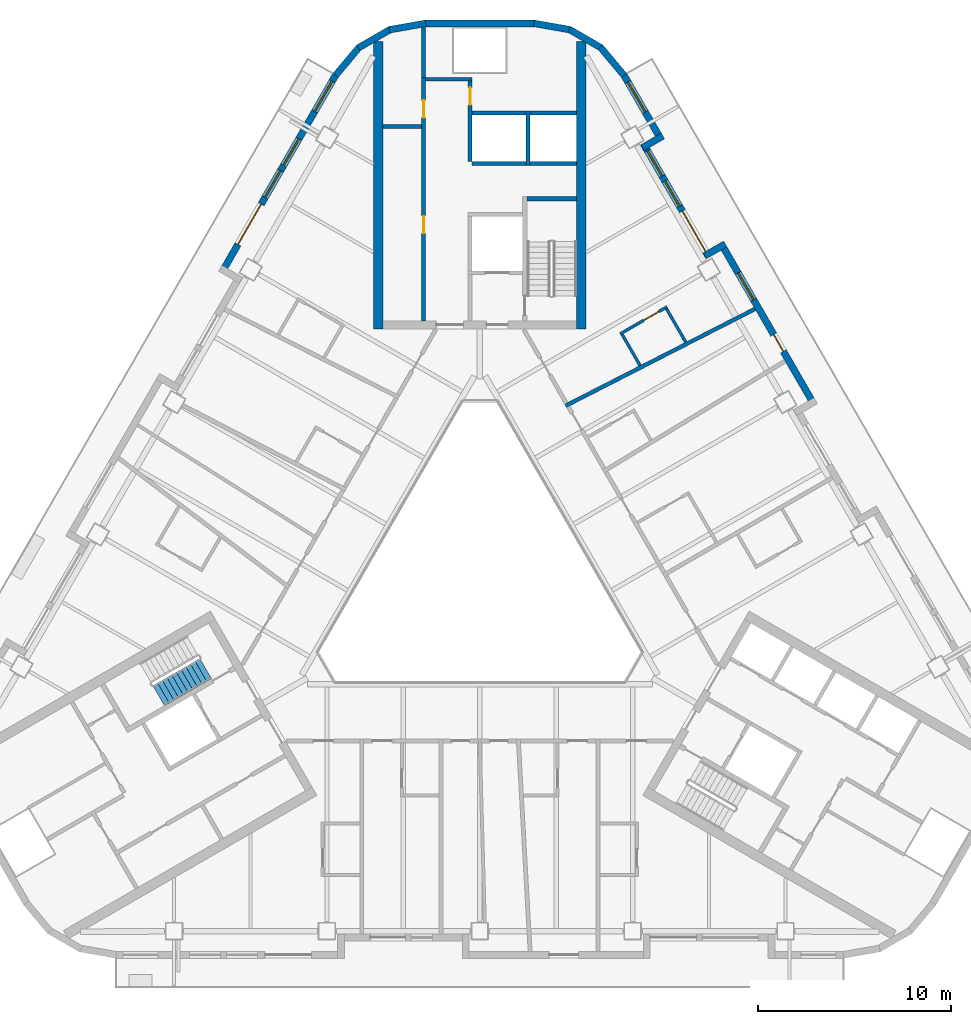
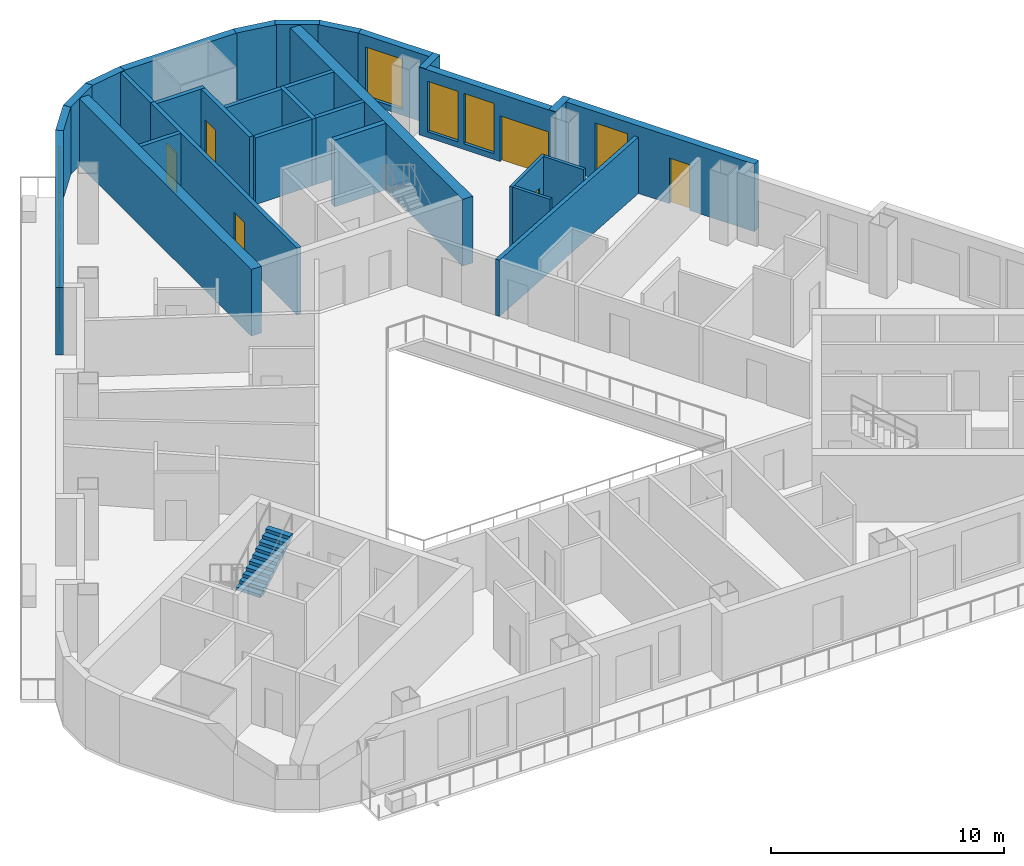
# One storey, part 7 of 14: 30 walls, 7 doors, 7 windows, 1 stair flight, 14 openings, 1 element without a shape of its own.
"""IFC4 building model written with IfcOpenShell, lengths in metres."""

from ifc_helpers import new_model, si_unit, direction, frame, frame_2d, origin, place, context, subcontext, project, spatial, polyline, rectangle, outline, extrude, material, layer, layer_set, type_object, element, fill, aggregate, save


model = new_model("IFC4")

# Units and contexts
model_context = context("Model", 3, precision=1e-05, world=origin(), true_north=direction((0.0, 1.0)))
body_context = subcontext(model_context, "Body", "Model", "MODEL_VIEW")
ifc_project = project(units=[si_unit("LENGTHUNIT", "METRE"), si_unit("AREAUNIT", "SQUARE_METRE"), si_unit("VOLUMEUNIT", "CUBIC_METRE"), si_unit("PLANEANGLEUNIT", "RADIAN"), si_unit("MASSUNIT", "GRAM", prefix="KILO")], contexts=[model_context])

# Site, building, storey
site_placement = place(None, origin())
site = spatial("IfcSite", under=ifc_project, at=site_placement, CompositionType="ELEMENT")
building_placement = place(site_placement, origin())
building = spatial("IfcBuilding", under=site, at=building_placement, Name="Apuvela Tower Hotel", CompositionType="ELEMENT")
storey_placement = place(building_placement, frame((0.0, 0.0, 87.199951171875)))
storey = spatial("IfcBuildingStorey", under=building, at=storey_placement, Name="L19", CompositionType="ELEMENT", Elevation=87.199951171875)

# Walls
ifc_material_1 = material(Name="Concrete C50/60", Category="concrete")
ifc_layer_1 = layer(ifc_material_1, 0.5)
ifc_layer_set_1 = layer_set([ifc_layer_1], Name="COR-WALL-CORE-500")
wall_type_1 = type_object("IfcWallType", Name="COR-WALL-CORE-500", PredefinedType="SHEAR", material=ifc_layer_set_1)
for number, where, z_axis, x_axis, name in (
    (1, (5.25, 12.89990234375, 0.0), (0.0, 0.0, 1.0), (0.0, 1.0, 0.0), "Core wall N"),
    (2, (-5.25, 12.89990234375, 0.0), (0.0, 0.0, 1.0), (0.0, 1.0, 0.0), "Core wall N"),
):
    element("IfcWall", number, at=place(storey_placement, frame(where, z_axis=z_axis, x_axis=x_axis)), inside=storey, type_object=wall_type_1, Name=name, PredefinedType="SHEAR", context=body_context, shape_type="SweptSolid", body=[
        extrude(rectangle(XDim=14.8369140625, YDim=0.5, at=frame_2d((7.41845703125, 0.0))), origin(), (0.0, 0.0, 1.0), 3.5),
    ])
ifc_material_2 = material(Name="Blockwork 200 mm plastered", Category="masonry")
ifc_layer_2 = layer(ifc_material_2, 0.199951171875)
ifc_layer_set_2 = layer_set([ifc_layer_2], Name="COR-WALL-PART-200")
wall_type_2 = type_object("IfcWallType", Name="COR-WALL-PART-200", PredefinedType="PARTITIONING", material=ifc_layer_set_2)
wall_1_placement = place(storey_placement, frame((5.0, 21.449951171875, 0.0), z_axis=(0.0, 0.0, 1.0), x_axis=(-1.0, 0.0, 0.0)))
element("IfcWall", 3, at=wall_1_placement, inside=storey, type_object=wall_type_2, Name="Partition N", PredefinedType="PARTITIONING", context=body_context, shape_type="SweptSolid", body=[
    extrude(rectangle(XDim=2.39990234375, YDim=0.199951171875, at=frame_2d((1.199951171875, 0.0))), origin(), (0.0, 0.0, 1.0), 3.5),
])
wall_2_placement = place(storey_placement, frame((2.39990234375, 21.449951171875, 0.0), z_axis=(0.0, 0.0, 1.0), x_axis=(-1.0, 0.0, 0.0)))
element("IfcWall", 4, at=wall_2_placement, inside=storey, type_object=wall_type_2, Name="Partition N", PredefinedType="PARTITIONING", context=body_context, shape_type="SweptSolid", body=[
    extrude(rectangle(XDim=2.7998046875, YDim=0.199951171875, at=frame_2d((1.39990234375, 0.0))), origin(), (0.0, 0.0, 1.0), 3.5),
])

# Wall, openings, doors
ifc_layer_3 = layer(ifc_material_1, 0.199951171875)
ifc_layer_set_3 = layer_set([ifc_layer_3], Name="COR-WALL-SHAFT-200")
wall_type_3 = type_object("IfcWallType", Name="COR-WALL-SHAFT-200", PredefinedType="SHEAR", material=ifc_layer_set_3)
wall_3_placement = place(storey_placement, frame((-2.89990234375, 13.300048828125, 0.0), z_axis=(0.0, 0.0, 1.0), x_axis=(0.0, 1.0, 0.0)))
wall_3 = element("IfcWall", 5, at=wall_3_placement, inside=storey, type_object=wall_type_3, Name="Shaft wall N", PredefinedType="SHEAR", context=body_context, shape_type="SweptSolid", body=[
    extrude(rectangle(XDim=12.599853515625, YDim=0.199951171875, at=frame_2d((6.2998046875, 0.0))), origin(), (0.0, 0.0, 1.0), 3.5),
])
opening_1_placement = place(wall_3_placement, frame((4.530029296875, 0.0, 0.0)))
opening_1 = element("IfcOpeningElement", 6, at=opening_1_placement, cuts=wall_3, Name="Opening N-RE1", PredefinedType="OPENING", context=body_context, shape_type="SweptSolid", body=[
    extrude(rectangle(XDim=0.89990234375, YDim=2.10009765625, at=frame_2d((0.449951171875, 1.050048828125))), frame((0.0, 0.10986328125, 0.0), z_axis=(0.0, -1.0, 0.0), x_axis=(1.0, 0.0, 0.0)), (0.0, 0.0, 1.0), 0.219970703125),
])
opening_2_placement = place(wall_3_placement, frame((10.510009765625, 0.0, 0.0)))
opening_2 = element("IfcOpeningElement", 7, at=opening_2_placement, cuts=wall_3, Name="Opening N-REP", PredefinedType="OPENING", context=body_context, shape_type="SweptSolid", body=[
    extrude(rectangle(XDim=0.89990234375, YDim=2.10009765625, at=frame_2d((0.449951171875, 1.050048828125))), frame((0.0, 0.10986328125, 0.0), z_axis=(0.0, -1.0, 0.0), x_axis=(1.0, 0.0, 0.0)), (0.0, 0.0, 1.0), 0.219970703125),
])
ifc_material_3 = material(Name="Steel fire door, powder coated", Category="steel")
door_type_1 = type_object("IfcDoorType", Name="COR-DR-900", OperationType="NOTDEFINED", PredefinedType="DOOR", material=ifc_material_3)
door_1_placement = place(opening_1_placement, origin())
door_1 = element("IfcDoor", 8, at=door_1_placement, inside=storey, type_object=door_type_1, Name="Store door N-RE1", OperationType="SINGLE_SWING_LEFT", OverallHeight=2.10009765625, OverallWidth=0.89990234375, PredefinedType="DOOR", context=body_context, shape_type="SweptSolid", body=[
    extrude(rectangle(XDim=0.89990234375, YDim=2.10009765625, at=frame_2d((0.449951171875, 1.050048828125))), frame((0.0, 0.02490234375, 0.0), z_axis=(0.0, -1.0, 0.0), x_axis=(1.0, 0.0, 0.0)), (0.0, 0.0, 1.0), 0.050048828125),
])
fill(opening_1, door_1)
door_2_placement = place(opening_2_placement, origin())
door_2 = element("IfcDoor", 9, at=door_2_placement, inside=storey, type_object=door_type_1, Name="Store door N-REP", OperationType="SINGLE_SWING_RIGHT", OverallHeight=2.10009765625, OverallWidth=0.89990234375, PredefinedType="DOOR", context=body_context, shape_type="SweptSolid", body=[
    extrude(rectangle(XDim=0.89990234375, YDim=2.10009765625, at=frame_2d((0.449951171875, 1.050048828125))), frame((0.0, 0.02490234375, 0.0), z_axis=(0.0, -1.0, 0.0), x_axis=(1.0, 0.0, 0.0)), (0.0, 0.0, 1.0), 0.050048828125),
])
fill(opening_2, door_2)

# Wall
wall_4_placement = place(storey_placement, frame((-0.39990234375, 25.800048828125, 0.0), z_axis=(0.0, 0.0, 1.0), x_axis=(-1.0, 0.0, 0.0)))
element("IfcWall", 10, at=wall_4_placement, inside=storey, type_object=wall_type_3, Name="Shaft wall N", PredefinedType="SHEAR", context=body_context, shape_type="SweptSolid", body=[
    extrude(rectangle(XDim=2.400146484375, YDim=0.199951171875, at=frame_2d((1.2001953125, 0.0))), origin(), (0.0, 0.0, 1.0), 3.5),
])

# Wall, opening, door
wall_5_placement = place(storey_placement, frame((-0.5, 21.550048828125, 0.0), z_axis=(0.0, 0.0, 1.0), x_axis=(0.0, 1.0, 0.0)))
wall_5 = element("IfcWall", 11, at=wall_5_placement, inside=storey, type_object=wall_type_3, Name="Shaft wall N", PredefinedType="SHEAR", context=body_context, shape_type="SweptSolid", body=[
    extrude(rectangle(XDim=4.14990234375, YDim=0.199951171875, at=frame_2d((2.074951171875, 0.0))), origin(), (0.0, 0.0, 1.0), 3.5),
])
opening_3_placement = place(wall_5_placement, frame((2.925048828125, 0.0, 0.0)))
opening_3 = element("IfcOpeningElement", 12, at=opening_3_placement, cuts=wall_5, Name="Opening N-RSP", PredefinedType="OPENING", context=body_context, shape_type="SweptSolid", body=[
    extrude(rectangle(XDim=0.89990234375, YDim=2.10009765625, at=frame_2d((0.449951171875, 1.050048828125))), frame((0.0, 0.10986328125, 0.0), z_axis=(0.0, -1.0, 0.0), x_axis=(1.0, 0.0, 0.0)), (0.0, 0.0, 1.0), 0.219970703125),
])
door_3_placement = place(opening_3_placement, frame((0.89990234375, 0.0, 0.0), z_axis=(0.0, 0.0, 1.0), x_axis=(-1.0, 0.0, 0.0)))
door_3 = element("IfcDoor", 13, at=door_3_placement, inside=storey, type_object=door_type_1, Name="Store door N-RSP", OperationType="SINGLE_SWING_LEFT", OverallHeight=2.10009765625, OverallWidth=0.89990234375, PredefinedType="DOOR", context=body_context, shape_type="SweptSolid", body=[
    extrude(rectangle(XDim=0.89990234375, YDim=2.10009765625, at=frame_2d((0.449951171875, 1.050048828125))), frame((0.0, 0.02490234375, 0.0), z_axis=(0.0, -1.0, 0.0), x_axis=(1.0, 0.0, 0.0)), (0.0, 0.0, 1.0), 0.050048828125),
])
fill(opening_3, door_3)

# Walls
wall_6_placement = place(storey_placement, frame((-3.0, 23.360107421875, 0.0), z_axis=(0.0, 0.0, 1.0), x_axis=(-1.0, 0.0, 0.0)))
element("IfcWall", 14, at=wall_6_placement, inside=storey, type_object=wall_type_3, Name="Shaft wall N", PredefinedType="SHEAR", context=body_context, shape_type="SweptSolid", body=[
    extrude(rectangle(XDim=2.0, YDim=0.199951171875, at=frame_2d((1.0, 0.0))), origin(), (0.0, 0.0, 1.0), 3.5),
])
wall_7_placement = place(storey_placement, frame((-2.89990234375, 25.89990234375, 0.0), z_axis=(0.0, 0.0, 1.0), x_axis=(0.0, 1.0, 0.0)))
element("IfcWall", 15, at=wall_7_placement, inside=storey, type_object=wall_type_3, Name="Shaft wall N", PredefinedType="SHEAR", context=body_context, shape_type="SweptSolid", body=[
    extrude(rectangle(XDim=2.60009765625, YDim=0.199951171875, at=frame_2d((1.300048828125, 0.0))), origin(), (0.0, 0.0, 1.0), 3.5),
])
wall_8_placement = place(storey_placement, frame((2.5, 21.35009765625, 0.0), z_axis=(0.0, 0.0, 1.0), x_axis=(0.0, 1.0, 0.0)))
element("IfcWall", 16, at=wall_8_placement, inside=storey, type_object=wall_type_3, Name="Shaft wall N", PredefinedType="SHEAR", context=body_context, shape_type="SweptSolid", body=[
    extrude(rectangle(XDim=2.7998046875, YDim=0.199951171875, at=frame_2d((1.39990234375, 0.0))), origin(), (0.0, 0.0, 1.0), 3.5),
])
wall_9_placement = place(storey_placement, frame((5.0, 24.050048828125, 0.0), z_axis=(0.0, 0.0, 1.0), x_axis=(-1.0, 0.0, 0.0)))
element("IfcWall", 17, at=wall_9_placement, inside=storey, type_object=wall_type_3, Name="Shaft wall N", PredefinedType="SHEAR", context=body_context, shape_type="SweptSolid", body=[
    extrude(rectangle(XDim=2.39990234375, YDim=0.199951171875, at=frame_2d((1.199951171875, 0.0))), origin(), (0.0, 0.0, 1.0), 3.5),
])
wall_10_placement = place(storey_placement, frame((2.39990234375, 24.050048828125, 0.0), z_axis=(0.0, 0.0, 1.0), x_axis=(-1.0, 0.0, 0.0)))
element("IfcWall", 18, at=wall_10_placement, inside=storey, type_object=wall_type_3, Name="Shaft wall N", PredefinedType="SHEAR", context=body_context, shape_type="SweptSolid", body=[
    extrude(rectangle(XDim=2.7998046875, YDim=0.199951171875, at=frame_2d((1.39990234375, 0.0))), origin(), (0.0, 0.0, 1.0), 3.5),
])
ifc_layer_4 = layer(ifc_material_1, 0.25)
ifc_layer_set_4 = layer_set([ifc_layer_4], Name="COR-WALL-STAIR-250")
wall_type_4 = type_object("IfcWallType", Name="COR-WALL-STAIR-250", PredefinedType="SHEAR", material=ifc_layer_set_4)
wall_11_placement = place(storey_placement, frame((5.0, 19.625, 0.0), z_axis=(0.0, 0.0, 1.0), x_axis=(-1.0, 0.0, 0.0)))
element("IfcWall", 19, at=wall_11_placement, inside=storey, type_object=wall_type_4, Name="Stair wall N", PredefinedType="SHEAR", context=body_context, shape_type="SweptSolid", body=[
    extrude(rectangle(XDim=2.550048828125, YDim=0.25, at=frame_2d((1.27490234375, 0.0))), origin(), (0.0, 0.0, 1.0), 3.5),
])

# Wall, openings, door, windows
ifc_material_4 = material(Name="Concrete C40/50, dark pigmented precast panel", Category="concrete")
ifc_layer_5 = layer(ifc_material_4, 0.35009765625)
ifc_layer_set_5 = layer_set([ifc_layer_5], Name="ENV-WALL-350")
wall_type_5 = type_object("IfcWallType", Name="ENV-WALL-350", PredefinedType="SOLIDWALL", material=ifc_layer_set_5)
wall_12_placement = place(storey_placement, frame((-7.440673828125, 26.0224609375, 0.0), z_axis=(0.0, 0.0, 1.0), x_axis=(-0.499992533062, -0.86602971478, 0.0)))
wall_12 = element("IfcWall", 20, at=wall_12_placement, inside=storey, type_object=wall_type_5, Name="External wall L19-01", PredefinedType="SOLIDWALL", context=body_context, shape_type="SweptSolid", body=[
    extrude(rectangle(XDim=11.815673828125, YDim=0.35009765625, at=frame_2d((5.90771484375, 0.0))), origin(), (0.0, 0.0, 1.0), 3.550048828125),
])
opening_4_placement = place(wall_12_placement, frame((0.381103515625, 0.0, 0.300048828125)))
opening_4 = element("IfcOpeningElement", 21, at=opening_4_placement, cuts=wall_12, Name="Opening WN18", PredefinedType="OPENING", context=body_context, shape_type="SweptSolid", body=[
    extrude(rectangle(XDim=1.800048828125, YDim=2.64990234375, at=frame_2d((0.89990234375, 1.324951171875))), frame((0.0, 0.18505859375, 0.0), z_axis=(0.0, -1.0, 0.0), x_axis=(1.0, 0.0, 0.0)), (0.0, 0.0, 1.0), 0.3701171875),
])
opening_5_placement = place(wall_12_placement, frame((7.7158203125, 0.0, 0.0)))
opening_5 = element("IfcOpeningElement", 22, at=opening_5_placement, cuts=wall_12, Name="Opening BD24", PredefinedType="OPENING", context=body_context, shape_type="SweptSolid", body=[
    extrude(rectangle(XDim=2.39990234375, YDim=2.39990234375, at=frame_2d((1.199951171875, 1.199951171875))), frame((0.0, 0.18505859375, 0.0), z_axis=(0.0, -1.0, 0.0), x_axis=(1.0, 0.0, 0.0)), (0.0, 0.0, 1.0), 0.3701171875),
])
opening_6_placement = place(wall_12_placement, frame((3.815185546875, 0.0, 0.300048828125)))
opening_6 = element("IfcOpeningElement", 23, at=opening_6_placement, cuts=wall_12, Name="Opening WN16", PredefinedType="OPENING", context=body_context, shape_type="SweptSolid", body=[
    extrude(rectangle(XDim=1.60009765625, YDim=2.64990234375, at=frame_2d((0.800048828125, 1.324951171875))), frame((0.0, 0.18505859375, 0.0), z_axis=(0.0, -1.0, 0.0), x_axis=(1.0, 0.0, 0.0)), (0.0, 0.0, 1.0), 0.3701171875),
])
opening_7_placement = place(wall_12_placement, frame((5.715087890625, 0.0, 0.300048828125)))
opening_7 = element("IfcOpeningElement", 24, at=opening_7_placement, cuts=wall_12, Name="Opening WN16", PredefinedType="OPENING", context=body_context, shape_type="SweptSolid", body=[
    extrude(rectangle(XDim=1.60009765625, YDim=2.64990234375, at=frame_2d((0.800048828125, 1.324951171875))), frame((0.0, 0.18505859375, 0.0), z_axis=(0.0, -1.0, 0.0), x_axis=(1.0, 0.0, 0.0)), (0.0, 0.0, 1.0), 0.3701171875),
])
ifc_material_5 = material(Name="Aluminium 6063-T6, dark bronze anodised frame with dark tinted laminated glass", Category="aluminium")
door_type_2 = type_object("IfcDoorType", Name="ENV-DOOR-BALCONY-2400x2400", OperationType="SLIDING_TO_LEFT", PredefinedType="DOOR", material=ifc_material_5)
door_4_placement = place(opening_5_placement, frame((2.39990234375, 0.0, 0.0), z_axis=(0.0, 0.0, 1.0), x_axis=(-1.0, 0.0, 0.0)))
door_4 = element("IfcDoor", 25, at=door_4_placement, inside=storey, type_object=door_type_2, Name="Balcony door BD24", OperationType="SLIDING_TO_LEFT", OverallHeight=2.39990234375, OverallWidth=2.39990234375, PredefinedType="DOOR", context=body_context, shape_type="SweptSolid", body=[
    extrude(rectangle(XDim=2.39990234375, YDim=2.39990234375, at=frame_2d((1.199951171875, 1.199951171875))), frame((0.0, 0.02490234375, 0.0), z_axis=(0.0, -1.0, 0.0), x_axis=(1.0, 0.0, 0.0)), (0.0, 0.0, 1.0), 0.050048828125),
])
fill(opening_5, door_4)
ifc_material_6 = material(Name="Glass, dark tinted laminated insulated glazing unit", Category="glass")
window_type_1 = type_object("IfcWindowType", Name="ENV-WIN-1600x2650", PartitioningType="SINGLE_PANEL", PredefinedType="WINDOW", material=ifc_material_6)
window_1_placement = place(opening_6_placement, origin())
window_1 = element("IfcWindow", 26, at=window_1_placement, inside=storey, type_object=window_type_1, Name="Window WN16", OverallHeight=2.64990234375, OverallWidth=1.60009765625, PartitioningType="SINGLE_PANEL", PredefinedType="WINDOW", context=body_context, shape_type="SweptSolid", body=[
    extrude(rectangle(XDim=1.60009765625, YDim=2.64990234375, at=frame_2d((0.800048828125, 1.324951171875))), frame((0.0, 0.030029296875, 0.0), z_axis=(0.0, -1.0, 0.0), x_axis=(1.0, 0.0, 0.0)), (0.0, 0.0, 1.0), 0.06005859375),
])
fill(opening_6, window_1)
window_2_placement = place(opening_7_placement, origin())
window_2 = element("IfcWindow", 27, at=window_2_placement, inside=storey, type_object=window_type_1, Name="Window WN16", OverallHeight=2.64990234375, OverallWidth=1.60009765625, PartitioningType="SINGLE_PANEL", PredefinedType="WINDOW", context=body_context, shape_type="SweptSolid", body=[
    extrude(rectangle(XDim=1.60009765625, YDim=2.64990234375, at=frame_2d((0.800048828125, 1.324951171875))), frame((0.0, 0.030029296875, 0.0), z_axis=(0.0, -1.0, 0.0), x_axis=(1.0, 0.0, 0.0)), (0.0, 0.0, 1.0), 0.06005859375),
])
fill(opening_7, window_2)
window_type_2 = type_object("IfcWindowType", Name="ENV-WIN-1800x2650", PartitioningType="SINGLE_PANEL", PredefinedType="WINDOW", material=ifc_material_6)
window_3_placement = place(opening_4_placement, origin())
window_3 = element("IfcWindow", 28, at=window_3_placement, inside=storey, type_object=window_type_2, Name="Window WN18", OverallHeight=2.64990234375, OverallWidth=1.800048828125, PartitioningType="SINGLE_PANEL", PredefinedType="WINDOW", context=body_context, shape_type="SweptSolid", body=[
    extrude(rectangle(XDim=1.800048828125, YDim=2.64990234375, at=frame_2d((0.89990234375, 1.324951171875))), frame((0.0, 0.030029296875, 0.0), z_axis=(0.0, -1.0, 0.0), x_axis=(1.0, 0.0, 0.0)), (0.0, 0.0, 1.0), 0.06005859375),
])
fill(opening_4, window_3)

# Wall, openings, door, window
wall_13_placement = place(storey_placement, frame((17.298583984375, 8.947998046875, 0.0), z_axis=(0.0, 0.0, 1.0), x_axis=(-0.500010041276, 0.866019606374, 0.0)))
wall_13 = element("IfcWall", 29, at=wall_13_placement, inside=storey, type_object=wall_type_5, Name="External wall L19-37", PredefinedType="SOLIDWALL", context=body_context, shape_type="SweptSolid", body=[
    extrude(rectangle(XDim=9.699951171875, YDim=0.35009765625, at=frame_2d((4.85009765625, 0.0))), origin(), (0.0, 0.0, 1.0), 3.550048828125),
])
opening_8_placement = place(wall_13_placement, frame((3.219970703125, 0.0, 0.0)))
opening_8 = element("IfcOpeningElement", 30, at=opening_8_placement, cuts=wall_13, Name="Opening BD10", PredefinedType="OPENING", context=body_context, shape_type="SweptSolid", body=[
    extrude(rectangle(XDim=1.0, YDim=2.39990234375, at=frame_2d((0.5, 1.199951171875))), frame((0.0, 0.18505859375, 0.0), z_axis=(0.0, -1.0, 0.0), x_axis=(1.0, 0.0, 0.0)), (0.0, 0.0, 1.0), 0.3701171875),
])
opening_9_placement = place(wall_13_placement, frame((6.30029296875, 0.0, 0.300048828125)))
opening_9 = element("IfcOpeningElement", 31, at=opening_9_placement, cuts=wall_13, Name="Opening WN16", PredefinedType="OPENING", context=body_context, shape_type="SweptSolid", body=[
    extrude(rectangle(XDim=1.60009765625, YDim=2.64990234375, at=frame_2d((0.800048828125, 1.324951171875))), frame((0.0, 0.18505859375, 0.0), z_axis=(0.0, -1.0, 0.0), x_axis=(1.0, 0.0, 0.0)), (0.0, 0.0, 1.0), 0.3701171875),
])
door_type_3 = type_object("IfcDoorType", Name="ENV-DOOR-BALCONY-1000x2400", OperationType="SLIDING_TO_LEFT", PredefinedType="DOOR", material=ifc_material_5)
door_5_placement = place(opening_8_placement, frame((1.0, 0.0, 0.0), z_axis=(0.0, 0.0, 1.0), x_axis=(-1.0, 0.0, 0.0)))
door_5 = element("IfcDoor", 32, at=door_5_placement, inside=storey, type_object=door_type_3, Name="Balcony door BD10", OperationType="SLIDING_TO_LEFT", OverallHeight=2.39990234375, OverallWidth=1.0, PredefinedType="DOOR", context=body_context, shape_type="SweptSolid", body=[
    extrude(rectangle(XDim=1.0, YDim=2.39990234375, at=frame_2d((0.5, 1.199951171875))), frame((0.0, 0.02490234375, 0.0), z_axis=(0.0, -1.0, 0.0), x_axis=(1.0, 0.0, 0.0)), (0.0, 0.0, 1.0), 0.050048828125),
])
fill(opening_8, door_5)
window_4_placement = place(opening_9_placement, origin())
window_4 = element("IfcWindow", 33, at=window_4_placement, inside=storey, type_object=window_type_1, Name="Window WN16", OverallHeight=2.64990234375, OverallWidth=1.60009765625, PartitioningType="SINGLE_PANEL", PredefinedType="WINDOW", context=body_context, shape_type="SweptSolid", body=[
    extrude(rectangle(XDim=1.60009765625, YDim=2.64990234375, at=frame_2d((0.800048828125, 1.324951171875))), frame((0.0, 0.030029296875, 0.0), z_axis=(0.0, -1.0, 0.0), x_axis=(1.0, 0.0, 0.0)), (0.0, 0.0, 1.0), 0.06005859375),
])
fill(opening_9, window_4)

# Wall
wall_14_placement = place(storey_placement, frame((12.6875, 17.284423828125, 0.0), z_axis=(0.0, 0.0, 1.0), x_axis=(-0.865955602162, -0.500120880472, 0.0)))
element("IfcWall", 34, at=wall_14_placement, inside=storey, type_object=wall_type_5, Name="External wall L19-38", PredefinedType="SOLIDWALL", context=body_context, shape_type="SweptSolid", body=[
    extrude(rectangle(XDim=1.219970703125, YDim=0.35009765625, at=frame_2d((0.60986328125, 0.0))), origin(), (0.0, 0.0, 1.0), 3.550048828125),
])

# Wall, openings, door, windows
wall_15_placement = place(storey_placement, frame((11.8291015625, 16.621337890625, 0.0), z_axis=(0.0, 0.0, 1.0), x_axis=(-0.500003597184, 0.866023326939, 0.0)))
wall_15 = element("IfcWall", 35, at=wall_15_placement, inside=storey, type_object=wall_type_5, Name="External wall L19-39", PredefinedType="SOLIDWALL", context=body_context, shape_type="SweptSolid", body=[
    extrude(rectangle(XDim=6.740234375, YDim=0.35009765625, at=frame_2d((3.3701171875, 0.0))), origin(), (0.0, 0.0, 1.0), 3.550048828125),
])
opening_10_placement = place(wall_15_placement, frame((0.320068359375, 0.0, 0.0)))
opening_10 = element("IfcOpeningElement", 36, at=opening_10_placement, cuts=wall_15, Name="Opening BD24", PredefinedType="OPENING", context=body_context, shape_type="SweptSolid", body=[
    extrude(rectangle(XDim=2.39990234375, YDim=2.39990234375, at=frame_2d((1.199951171875, 1.199951171875))), frame((0.0, 0.18505859375, 0.0), z_axis=(0.0, -1.0, 0.0), x_axis=(1.0, 0.0, 0.0)), (0.0, 0.0, 1.0), 0.3701171875),
])
opening_11_placement = place(wall_15_placement, frame((3.02001953125, 0.0, 0.300048828125)))
opening_11 = element("IfcOpeningElement", 37, at=opening_11_placement, cuts=wall_15, Name="Opening WN15", PredefinedType="OPENING", context=body_context, shape_type="SweptSolid", body=[
    extrude(rectangle(XDim=1.5, YDim=2.64990234375, at=frame_2d((0.75, 1.324951171875))), frame((0.0, 0.18505859375, 0.0), z_axis=(0.0, -1.0, 0.0), x_axis=(1.0, 0.0, 0.0)), (0.0, 0.0, 1.0), 0.3701171875),
])
opening_12_placement = place(wall_15_placement, frame((4.820068359375, 0.0, 0.300048828125)))
opening_12 = element("IfcOpeningElement", 38, at=opening_12_placement, cuts=wall_15, Name="Opening WN15", PredefinedType="OPENING", context=body_context, shape_type="SweptSolid", body=[
    extrude(rectangle(XDim=1.5, YDim=2.64990234375, at=frame_2d((0.75, 1.324951171875))), frame((0.0, 0.18505859375, 0.0), z_axis=(0.0, -1.0, 0.0), x_axis=(1.0, 0.0, 0.0)), (0.0, 0.0, 1.0), 0.3701171875),
])
door_6_placement = place(opening_10_placement, frame((2.39990234375, 0.0, 0.0), z_axis=(0.0, 0.0, 1.0), x_axis=(-1.0, 0.0, 0.0)))
door_6 = element("IfcDoor", 39, at=door_6_placement, inside=storey, type_object=door_type_2, Name="Balcony door BD24", OperationType="SLIDING_TO_LEFT", OverallHeight=2.39990234375, OverallWidth=2.39990234375, PredefinedType="DOOR", context=body_context, shape_type="SweptSolid", body=[
    extrude(rectangle(XDim=2.39990234375, YDim=2.39990234375, at=frame_2d((1.199951171875, 1.199951171875))), frame((0.0, 0.02490234375, 0.0), z_axis=(0.0, -1.0, 0.0), x_axis=(1.0, 0.0, 0.0)), (0.0, 0.0, 1.0), 0.050048828125),
])
fill(opening_10, door_6)
window_type_3 = type_object("IfcWindowType", Name="ENV-WIN-1500x2650", PartitioningType="SINGLE_PANEL", PredefinedType="WINDOW", material=ifc_material_6)
window_5_placement = place(opening_11_placement, origin())
window_5 = element("IfcWindow", 40, at=window_5_placement, inside=storey, type_object=window_type_3, Name="Window WN15", OverallHeight=2.64990234375, OverallWidth=1.5, PartitioningType="SINGLE_PANEL", PredefinedType="WINDOW", context=body_context, shape_type="SweptSolid", body=[
    extrude(rectangle(XDim=1.5, YDim=2.64990234375, at=frame_2d((0.75, 1.324951171875))), frame((0.0, 0.030029296875, 0.0), z_axis=(0.0, -1.0, 0.0), x_axis=(1.0, 0.0, 0.0)), (0.0, 0.0, 1.0), 0.06005859375),
])
fill(opening_11, window_5)
window_6_placement = place(opening_12_placement, origin())
window_6 = element("IfcWindow", 41, at=window_6_placement, inside=storey, type_object=window_type_3, Name="Window WN15", OverallHeight=2.64990234375, OverallWidth=1.5, PartitioningType="SINGLE_PANEL", PredefinedType="WINDOW", context=body_context, shape_type="SweptSolid", body=[
    extrude(rectangle(XDim=1.5, YDim=2.64990234375, at=frame_2d((0.75, 1.324951171875))), frame((0.0, 0.030029296875, 0.0), z_axis=(0.0, -1.0, 0.0), x_axis=(1.0, 0.0, 0.0)), (0.0, 0.0, 1.0), 0.06005859375),
])
fill(opening_12, window_6)

# Wall
wall_16_placement = place(storey_placement, frame((8.406005859375, 22.26025390625, 0.0), z_axis=(0.0, 0.0, 1.0), x_axis=(0.865955602162, 0.500120880472, 0.0)))
element("IfcWall", 42, at=wall_16_placement, inside=storey, type_object=wall_type_5, Name="External wall L19-40", PredefinedType="SOLIDWALL", context=body_context, shape_type="SweptSolid", body=[
    extrude(rectangle(XDim=1.219970703125, YDim=0.35009765625, at=frame_2d((0.60986328125, 0.0))), origin(), (0.0, 0.0, 1.0), 3.550048828125),
])

# Wall, opening, window
wall_17_placement = place(storey_placement, frame((9.3984375, 22.631103515625, 0.0), z_axis=(0.0, 0.0, 1.0), x_axis=(-0.499954521343, 0.866051659307, 0.0)))
wall_17 = element("IfcWall", 43, at=wall_17_placement, inside=storey, type_object=wall_type_5, Name="External wall L19-41", PredefinedType="SOLIDWALL", context=body_context, shape_type="SweptSolid", body=[
    extrude(rectangle(XDim=3.915771484375, YDim=0.35009765625, at=frame_2d((1.9580078125, 0.0))), origin(), (0.0, 0.0, 1.0), 3.550048828125),
])
opening_13_placement = place(wall_17_placement, frame((1.69970703125, 0.0, 0.300048828125)))
opening_13 = element("IfcOpeningElement", 44, at=opening_13_placement, cuts=wall_17, Name="Opening WN18", PredefinedType="OPENING", context=body_context, shape_type="SweptSolid", body=[
    extrude(rectangle(XDim=1.800048828125, YDim=2.64990234375, at=frame_2d((0.89990234375, 1.324951171875))), frame((0.0, 0.18505859375, 0.0), z_axis=(0.0, -1.0, 0.0), x_axis=(1.0, 0.0, 0.0)), (0.0, 0.0, 1.0), 0.3701171875),
])
window_7_placement = place(opening_13_placement, origin())
window_7 = element("IfcWindow", 45, at=window_7_placement, inside=storey, type_object=window_type_2, Name="Window WN18", OverallHeight=2.64990234375, OverallWidth=1.800048828125, PartitioningType="SINGLE_PANEL", PredefinedType="WINDOW", context=body_context, shape_type="SweptSolid", body=[
    extrude(rectangle(XDim=1.800048828125, YDim=2.64990234375, at=frame_2d((0.89990234375, 1.324951171875))), frame((0.0, 0.030029296875, 0.0), z_axis=(0.0, -1.0, 0.0), x_axis=(1.0, 0.0, 0.0)), (0.0, 0.0, 1.0), 0.06005859375),
])
fill(opening_13, window_7)

# Walls
wall_18_placement = place(storey_placement, frame((7.4580078125, 25.99755859375, 0.0), z_axis=(0.0, 0.0, 1.0), x_axis=(-0.642808304945, 0.766027077259, 0.0)))
element("IfcWall", 46, at=wall_18_placement, inside=storey, type_object=wall_type_5, Name="External wall L19-42", PredefinedType="SOLIDWALL", context=body_context, shape_type="SweptSolid", body=[
    extrude(rectangle(XDim=1.909912109375, YDim=0.35009765625, at=frame_2d((0.955078125, 0.0))), origin(), (0.0, 0.0, 1.0), 3.550048828125),
])
for number, where, z_axis, x_axis, name in (
    (47, (6.27685546875, 27.421630859375, 0.0), (0.0, 0.0, 1.0), (-0.866032345022, 0.499987977232, 0.0), "External wall L19-43"),
    (48, (4.6796875, 28.35595703125, 0.0), (0.0, 0.0, 1.0), (-0.984798995425, 0.173697837091, 0.0), "External wall L19-44"),
):
    element("IfcWall", number, at=place(storey_placement, frame(where, z_axis=z_axis, x_axis=x_axis)), inside=storey, type_object=wall_type_5, Name=name, PredefinedType="SOLIDWALL", context=body_context, shape_type="SweptSolid", body=[
        extrude(rectangle(XDim=1.91015625, YDim=0.35009765625, at=frame_2d((0.955078125, 0.0))), origin(), (0.0, 0.0, 1.0), 3.550048828125),
    ])
wall_19_placement = place(storey_placement, frame((2.8291015625, 28.68505859375, 0.0), z_axis=(0.0, 0.0, 1.0), x_axis=(-1.0, 0.0, 0.0)))
element("IfcWall", 49, at=wall_19_placement, inside=storey, type_object=wall_type_5, Name="External wall L19-45", PredefinedType="SOLIDWALL", context=body_context, shape_type="SweptSolid", body=[
    extrude(rectangle(XDim=5.658203125, YDim=0.35009765625, at=frame_2d((2.8291015625, 0.0))), origin(), (0.0, 0.0, 1.0), 3.550048828125),
])
for number, where, z_axis, x_axis, name in (
    (50, (-2.798583984375, 28.687744140625, 0.0), (0.0, 0.0, 1.0), (-0.984798995425, -0.173697837091, 0.0), "External wall L19-46"),
    (51, (-4.62255859375, 28.376708984375, 0.0), (0.0, 0.0, 1.0), (-0.866032345022, -0.499987977232, 0.0), "External wall L19-47"),
):
    element("IfcWall", number, at=place(storey_placement, frame(where, z_axis=z_axis, x_axis=x_axis)), inside=storey, type_object=wall_type_5, Name=name, PredefinedType="SOLIDWALL", context=body_context, shape_type="SweptSolid", body=[
        extrude(rectangle(XDim=1.91015625, YDim=0.35009765625, at=frame_2d((0.955078125, 0.0))), origin(), (0.0, 0.0, 1.0), 3.550048828125),
    ])
wall_20_placement = place(storey_placement, frame((-6.230224609375, 27.460693359375, 0.0), z_axis=(0.0, 0.0, 1.0), x_axis=(-0.642808304945, -0.766027077259, 0.0)))
element("IfcWall", 52, at=wall_20_placement, inside=storey, type_object=wall_type_5, Name="External wall L19-48", PredefinedType="SOLIDWALL", context=body_context, shape_type="SweptSolid", body=[
    extrude(rectangle(XDim=1.909912109375, YDim=0.35009765625, at=frame_2d((0.955078125, 0.0))), origin(), (0.0, 0.0, 1.0), 3.550048828125),
])
ifc_material_7 = material(Name="Gypsum board partition on twin steel stud", Category="steel")
ifc_layer_6 = layer(ifc_material_7, 0.199951171875)
ifc_layer_set_6 = layer_set([ifc_layer_6], Name="GST-PW1")
wall_type_6 = type_object("IfcWallType", Name="GST-PW1", PredefinedType="PARTITIONING", material=ifc_layer_set_6)
wall_21_placement = place(storey_placement, frame((14.221923828125, 13.9267578125, 0.0), z_axis=(0.0, 0.0, 1.0), x_axis=(-0.890385282198, -0.455207699017, 0.0)))
element("IfcWall", 53, at=wall_21_placement, inside=storey, type_object=wall_type_6, Name="L19 partition 07", PredefinedType="PARTITIONING", context=body_context, shape_type="SweptSolid", body=[
    extrude(rectangle(XDim=10.994140625, YDim=0.199951171875, at=frame_2d((5.4970703125, 0.0))), origin(), (0.0, 0.0, 1.0), 2.9599609375),
])

# Wall, opening, door
ifc_material_8 = material(Name="Moisture-resistant gypsum board wet wall on steel stud", Category="steel")
ifc_layer_7 = layer(ifc_material_8, 0.14990234375)
ifc_layer_set_7 = layer_set([ifc_layer_7], Name="GST-PW3")
wall_type_7 = type_object("IfcWallType", Name="GST-PW3", PredefinedType="PARTITIONING", material=ifc_layer_set_7)
wall_22_placement = place(storey_placement, frame((9.6787109375, 14.035888671875, 0.0), z_axis=(0.0, 0.0, 1.0), x_axis=(-0.865996816683, -0.500049511043, 0.0)))
wall_22 = element("IfcWall", 54, at=wall_22_placement, inside=storey, type_object=wall_type_7, Name="L19 partition 39", PredefinedType="PARTITIONING", context=body_context, shape_type="SweptSolid", body=[
    extrude(rectangle(XDim=2.800048828125, YDim=0.14990234375, at=frame_2d((1.39990234375, 0.0))), origin(), (0.0, 0.0, 1.0), 3.550048828125),
])
opening_14_placement = place(wall_22_placement, frame((0.5, 0.0, 0.0)))
opening_14 = element("IfcOpeningElement", 55, at=opening_14_placement, cuts=wall_22, Name="Opening GD06-17", PredefinedType="OPENING", context=body_context, shape_type="SweptSolid", body=[
    extrude(rectangle(XDim=0.89990234375, YDim=2.10009765625, at=frame_2d((0.449951171875, 1.050048828125))), frame((0.0, 0.0849609375, 0.0), z_axis=(0.0, -1.0, 0.0), x_axis=(1.0, 0.0, 0.0)), (0.0, 0.0, 1.0), 0.169921875),
])
ifc_material_9 = material(Name="Timber door leaf in steel frame", Category="steel")
door_type_4 = type_object("IfcDoorType", Name="GST-D2", OperationType="NOTDEFINED", PredefinedType="DOOR", material=ifc_material_9)
door_7_placement = place(opening_14_placement, origin())
door_7 = element("IfcDoor", 56, at=door_7_placement, inside=storey, type_object=door_type_4, Name="Door L19-17", OperationType="SINGLE_SWING_LEFT", OverallHeight=2.10009765625, OverallWidth=0.89990234375, PredefinedType="DOOR", context=body_context, shape_type="SweptSolid", body=[
    extrude(rectangle(XDim=0.89990234375, YDim=2.10009765625, at=frame_2d((0.449951171875, 1.050048828125))), frame((0.0, 0.02490234375, 0.0), z_axis=(0.0, -1.0, 0.0), x_axis=(1.0, 0.0, 0.0)), (0.0, 0.0, 1.0), 0.050048828125),
])
fill(opening_14, door_7)

# Walls
wall_23_placement = place(storey_placement, frame((10.64599609375, 12.210693359375, 0.0), z_axis=(0.0, 0.0, 1.0), x_axis=(-0.50001992892, 0.866013897511, 0.0)))
element("IfcWall", 57, at=wall_23_placement, inside=storey, type_object=wall_type_7, Name="L19 partition 40", PredefinedType="PARTITIONING", context=body_context, shape_type="SweptSolid", body=[
    extrude(rectangle(XDim=1.9892578125, YDim=0.14990234375, at=frame_2d((0.99462890625, 0.0))), origin(), (0.0, 0.0, 1.0), 3.550048828125),
])
wall_24_placement = place(storey_placement, frame((8.283203125, 11.0029296875, 0.0), z_axis=(0.0, 0.0, 1.0), x_axis=(-0.499935264145, 0.866062775822, 0.0)))
element("IfcWall", 58, at=wall_24_placement, inside=storey, type_object=wall_type_7, Name="L19 partition 41", PredefinedType="PARTITIONING", context=body_context, shape_type="SweptSolid", body=[
    extrude(rectangle(XDim=1.853759765625, YDim=0.14990234375, at=frame_2d((0.9267578125, 0.0))), origin(), (0.0, 0.0, 1.0), 3.550048828125),
])

# Stair, stair flight
stair_type = type_object("IfcStairType", Name="COR-STAIR-22R", PredefinedType="HALF_TURN_STAIR", material=ifc_material_1)
stair_placement = place(storey_placement, origin())
stair = element("IfcStair", 59, at=stair_placement, inside=storey, type_object=stair_type, Name="L19 Exit stair ST2", PredefinedType="HALF_TURN_STAIR")
stair_flight_type = type_object("IfcStairFlightType", Name="COR-FLIGHT-11R", PredefinedType="STRAIGHT", material=ifc_material_1)
stair_flight_placement = place(storey_placement, frame((-16.59375, -6.05859375, 1.85009765625), z_axis=(0.0, 0.0, 1.0), x_axis=(0.866025403784, 0.5, 0.0)))
stair_flight = element("IfcStairFlight", 60, at=stair_flight_placement, type_object=stair_flight_type, Name="ST2 flight 2", NumberOfRisers=11, NumberOfTreads=10, PredefinedType="STRAIGHT", RiserHeight=0.168181818, TreadLength=0.28, context=body_context, shape_type="SweptSolid", body=[
    extrude(outline(polyline([(0.0, 0.0), (0.0, 0.168212890625), (0.280029296875, 0.168212890625), (0.280029296875, 0.33642578125), (0.56005859375, 0.33642578125), (0.56005859375, 0.504638671875), (0.840087890625, 0.504638671875), (0.840087890625, 0.672607421875), (1.1201171875, 0.672607421875), (1.1201171875, 0.8408203125), (1.39990234375, 0.8408203125), (1.39990234375, 1.009033203125), (1.679931640625, 1.009033203125), (1.679931640625, 1.17724609375), (1.9599609375, 1.17724609375), (1.9599609375, 1.345458984375), (2.239990234375, 1.345458984375), (2.239990234375, 1.513671875), (2.52001953125, 1.513671875), (2.52001953125, 1.681884765625), (2.800048828125, 1.681884765625), (2.800048828125, 1.85009765625), (2.800048828125, 1.5068359375), (0.291015625, 0.0), (0.0, 0.0)])), frame((0.0, 0.60009765625, 0.0), z_axis=(0.0, -1.0, 0.0), x_axis=(1.0, 0.0, 0.0)), (0.0, 0.0, 1.0), 1.199951171875),
])
aggregate(stair, [stair_flight])

save(model, "model.ifc")
